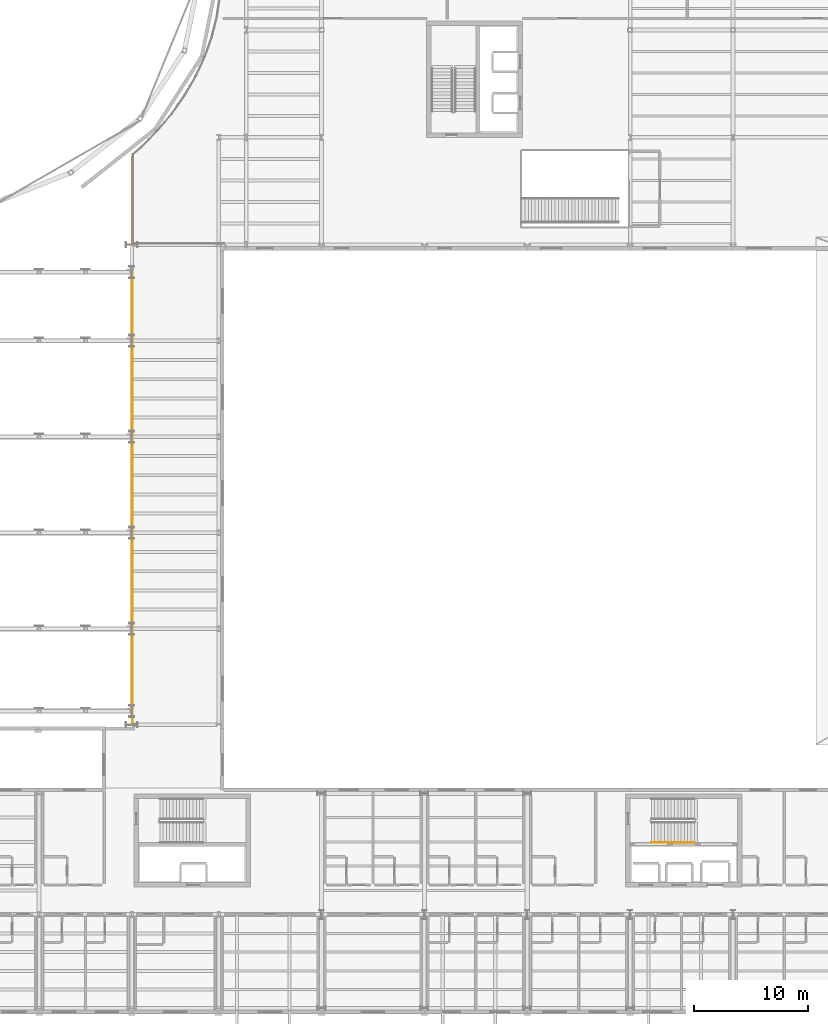
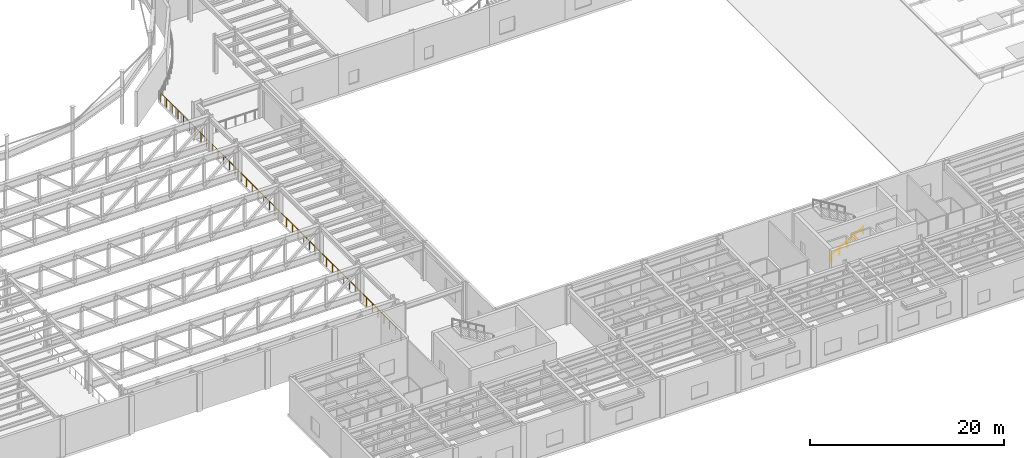
# One storey, part 87 of 91: 2 railings.
"""IFC4 building model written with IfcOpenShell, lengths in metres."""

from ifc_helpers import new_model, si_unit, direction, frame, origin, origin_2d, place, context, subcontext, project, spatial, circle, extrude, material, type_object, element, save


model = new_model("IFC4")

# Units and contexts
model_context = context("Model", 3, precision=1e-05, world=origin(), true_north=direction((0.0, 1.0)))
body_context = subcontext(model_context, "Body", "Model", "MODEL_VIEW")
ifc_project = project(units=[si_unit("LENGTHUNIT", "METRE"), si_unit("AREAUNIT", "SQUARE_METRE"), si_unit("VOLUMEUNIT", "CUBIC_METRE"), si_unit("PLANEANGLEUNIT", "RADIAN"), si_unit("MASSUNIT", "GRAM", prefix="KILO")], contexts=[model_context])

# Site, building, storey
site_placement = place(None, origin())
site = spatial("IfcSite", under=ifc_project, at=site_placement, CompositionType="ELEMENT")
building_placement = place(site_placement, origin())
building = spatial("IfcBuilding", under=site, at=building_placement, Name="Sollismere Congress Hotel", CompositionType="ELEMENT")
storey_placement = place(building_placement, frame((0.0, 0.0, 10.800048828125)))
storey = spatial("IfcBuildingStorey", under=building, at=storey_placement, Name="L02", CompositionType="ELEMENT", Elevation=10.800048828125)

# Railings
ifc_material_1 = material(Name="Steel ASTM A500 Grade C", Category="steel")
railing_type_1 = type_object("IfcRailingType", Name="RL-GRD112", PredefinedType="GUARDRAIL", material=ifc_material_1)
railing_1_placement = place(storey_placement, frame((50.47998046875, 24.85009765625, 0.0)))
element("IfcRailing", 1, at=railing_1_placement, inside=storey, type_object=railing_type_1, Name="RLG-GDA-L02-085", PredefinedType="GUARDRAIL", context=body_context, shape_type="SweptSolid", body=[
    extrude(circle(Radius=0.02392578125, at=origin_2d()), frame((0.0, 0.0, 1.09619140625), z_axis=(0.0, 1.0, 0.0), x_axis=(-1.0, 0.0, 0.0)), (0.0, 0.0, 1.0), 49.599853515625),
    extrude(circle(Radius=0.02099609375, at=origin_2d()), origin(), (0.0, 0.0, 1.0), 1.072021484375),
    extrude(circle(Radius=0.02099609375, at=origin_2d()), frame((0.0, 1.180908203125, 0.0)), (0.0, 0.0, 1.0), 1.072021484375),
    extrude(circle(Radius=0.02099609375, at=origin_2d()), frame((0.0, 2.36181640625, 0.0)), (0.0, 0.0, 1.0), 1.072021484375),
    extrude(circle(Radius=0.02099609375, at=origin_2d()), frame((0.0, 3.54296875, 0.0)), (0.0, 0.0, 1.0), 1.072021484375),
    extrude(circle(Radius=0.02099609375, at=origin_2d()), frame((0.0, 4.723876953125, 0.0)), (0.0, 0.0, 1.0), 1.072021484375),
    extrude(circle(Radius=0.02099609375, at=origin_2d()), frame((0.0, 5.90478515625, 0.0)), (0.0, 0.0, 1.0), 1.072021484375),
    extrude(circle(Radius=0.02099609375, at=origin_2d()), frame((0.0, 7.085693359375, 0.0)), (0.0, 0.0, 1.0), 1.072021484375),
    extrude(circle(Radius=0.02099609375, at=origin_2d()), frame((0.0, 8.2666015625, 0.0)), (0.0, 0.0, 1.0), 1.072021484375),
    extrude(circle(Radius=0.02099609375, at=origin_2d()), frame((0.0, 9.447509765625, 0.0)), (0.0, 0.0, 1.0), 1.072021484375),
    extrude(circle(Radius=0.02099609375, at=origin_2d()), frame((0.0, 10.62841796875, 0.0)), (0.0, 0.0, 1.0), 1.072021484375),
    extrude(circle(Radius=0.02099609375, at=origin_2d()), frame((0.0, 11.8095703125, 0.0)), (0.0, 0.0, 1.0), 1.072021484375),
    extrude(circle(Radius=0.02099609375, at=origin_2d()), frame((0.0, 12.990478515625, 0.0)), (0.0, 0.0, 1.0), 1.072021484375),
    extrude(circle(Radius=0.02099609375, at=origin_2d()), frame((0.0, 14.17138671875, 0.0)), (0.0, 0.0, 1.0), 1.072021484375),
    extrude(circle(Radius=0.02099609375, at=origin_2d()), frame((0.0, 15.352294921875, 0.0)), (0.0, 0.0, 1.0), 1.072021484375),
    extrude(circle(Radius=0.02099609375, at=origin_2d()), frame((0.0, 16.533203125, 0.0)), (0.0, 0.0, 1.0), 1.072021484375),
    extrude(circle(Radius=0.02099609375, at=origin_2d()), frame((0.0, 17.71435546875, 0.0)), (0.0, 0.0, 1.0), 1.072021484375),
    extrude(circle(Radius=0.02099609375, at=origin_2d()), frame((0.0, 18.895263671875, 0.0)), (0.0, 0.0, 1.0), 1.072021484375),
    extrude(circle(Radius=0.02099609375, at=origin_2d()), frame((0.0, 20.076171875, 0.0)), (0.0, 0.0, 1.0), 1.072021484375),
    extrude(circle(Radius=0.02099609375, at=origin_2d()), frame((0.0, 21.257080078125, 0.0)), (0.0, 0.0, 1.0), 1.072021484375),
    extrude(circle(Radius=0.02099609375, at=origin_2d()), frame((0.0, 22.43798828125, 0.0)), (0.0, 0.0, 1.0), 1.072021484375),
    extrude(circle(Radius=0.02099609375, at=origin_2d()), frame((0.0, 23.618896484375, 0.0)), (0.0, 0.0, 1.0), 1.072021484375),
    extrude(circle(Radius=0.02099609375, at=origin_2d()), frame((0.0, 24.7998046875, 0.0)), (0.0, 0.0, 1.0), 1.072021484375),
    extrude(circle(Radius=0.02099609375, at=origin_2d()), frame((0.0, 25.98095703125, 0.0)), (0.0, 0.0, 1.0), 1.072021484375),
    extrude(circle(Radius=0.02099609375, at=origin_2d()), frame((0.0, 27.161865234375, 0.0)), (0.0, 0.0, 1.0), 1.072021484375),
    extrude(circle(Radius=0.02099609375, at=origin_2d()), frame((0.0, 28.3427734375, 0.0)), (0.0, 0.0, 1.0), 1.072021484375),
    extrude(circle(Radius=0.02099609375, at=origin_2d()), frame((0.0, 29.523681640625, 0.0)), (0.0, 0.0, 1.0), 1.072021484375),
    extrude(circle(Radius=0.02099609375, at=origin_2d()), frame((0.0, 30.70458984375, 0.0)), (0.0, 0.0, 1.0), 1.072021484375),
    extrude(circle(Radius=0.02099609375, at=origin_2d()), frame((0.0, 31.8857421875, 0.0)), (0.0, 0.0, 1.0), 1.072021484375),
    extrude(circle(Radius=0.02099609375, at=origin_2d()), frame((0.0, 33.066650390625, 0.0)), (0.0, 0.0, 1.0), 1.072021484375),
    extrude(circle(Radius=0.02099609375, at=origin_2d()), frame((0.0, 34.24755859375, 0.0)), (0.0, 0.0, 1.0), 1.072021484375),
    extrude(circle(Radius=0.02099609375, at=origin_2d()), frame((0.0, 35.428466796875, 0.0)), (0.0, 0.0, 1.0), 1.072021484375),
    extrude(circle(Radius=0.02099609375, at=origin_2d()), frame((0.0, 36.609375, 0.0)), (0.0, 0.0, 1.0), 1.072021484375),
    extrude(circle(Radius=0.02099609375, at=origin_2d()), frame((0.0, 37.790283203125, 0.0)), (0.0, 0.0, 1.0), 1.072021484375),
    extrude(circle(Radius=0.02099609375, at=origin_2d()), frame((0.0, 38.97119140625, 0.0)), (0.0, 0.0, 1.0), 1.072021484375),
    extrude(circle(Radius=0.02099609375, at=origin_2d()), frame((0.0, 40.15234375, 0.0)), (0.0, 0.0, 1.0), 1.072021484375),
    extrude(circle(Radius=0.02099609375, at=origin_2d()), frame((0.0, 41.333251953125, 0.0)), (0.0, 0.0, 1.0), 1.072021484375),
    extrude(circle(Radius=0.02099609375, at=origin_2d()), frame((0.0, 42.51416015625, 0.0)), (0.0, 0.0, 1.0), 1.072021484375),
    extrude(circle(Radius=0.02099609375, at=origin_2d()), frame((0.0, 43.695068359375, 0.0)), (0.0, 0.0, 1.0), 1.072021484375),
    extrude(circle(Radius=0.02099609375, at=origin_2d()), frame((0.0, 44.8759765625, 0.0)), (0.0, 0.0, 1.0), 1.072021484375),
    extrude(circle(Radius=0.02099609375, at=origin_2d()), frame((0.0, 46.05712890625, 0.0)), (0.0, 0.0, 1.0), 1.072021484375),
    extrude(circle(Radius=0.02099609375, at=origin_2d()), frame((0.0, 47.238037109375, 0.0)), (0.0, 0.0, 1.0), 1.072021484375),
    extrude(circle(Radius=0.02099609375, at=origin_2d()), frame((0.0, 48.4189453125, 0.0)), (0.0, 0.0, 1.0), 1.072021484375),
    extrude(circle(Radius=0.02099609375, at=origin_2d()), frame((0.0, 49.599853515625, 0.0)), (0.0, 0.0, 1.0), 1.072021484375),
])
ifc_material_2 = material(Name="Brushed Architectural Bronze")
railing_type_2 = type_object("IfcRailingType", Name="RL-HND90", PredefinedType="HANDRAIL", material=ifc_material_2)
railing_2_placement = place(storey_placement, frame((95.85009765625, 14.5, 0.31884765625)))
element("IfcRailing", 2, at=railing_2_placement, inside=storey, type_object=railing_type_2, Name="RLG-RH-ST-02-L02-1", PredefinedType="HANDRAIL", context=body_context, shape_type="SweptSolid", body=[
    extrude(circle(Radius=0.02392578125, at=origin_2d()), frame((0.0, 0.0, 0.8759765625), z_axis=(0.860848830602, 0.0, 0.508860777473), x_axis=(0.0, 1.0, 0.0)), (0.0, 0.0, 1.0), 4.37939453125),
    extrude(circle(Radius=0.02099609375, at=origin_2d()), origin(), (0.0, 0.0, 1.0), 0.851806640625),
    extrude(circle(Radius=0.02099609375, at=origin_2d()), frame((0.9423828125, 0.0, 0.55712890625)), (0.0, 0.0, 1.0), 0.851806640625),
    extrude(circle(Radius=0.02099609375, at=origin_2d()), frame((1.885009765625, 0.0, 1.1142578125)), (0.0, 0.0, 1.0), 0.851806640625),
    extrude(circle(Radius=0.02099609375, at=origin_2d()), frame((2.82763671875, 0.0, 1.67138671875)), (0.0, 0.0, 1.0), 0.851806640625),
    extrude(circle(Radius=0.02099609375, at=origin_2d()), frame((3.77001953125, 0.0, 2.228515625)), (0.0, 0.0, 1.0), 0.851806640625),
])

save(model, "model.ifc")
